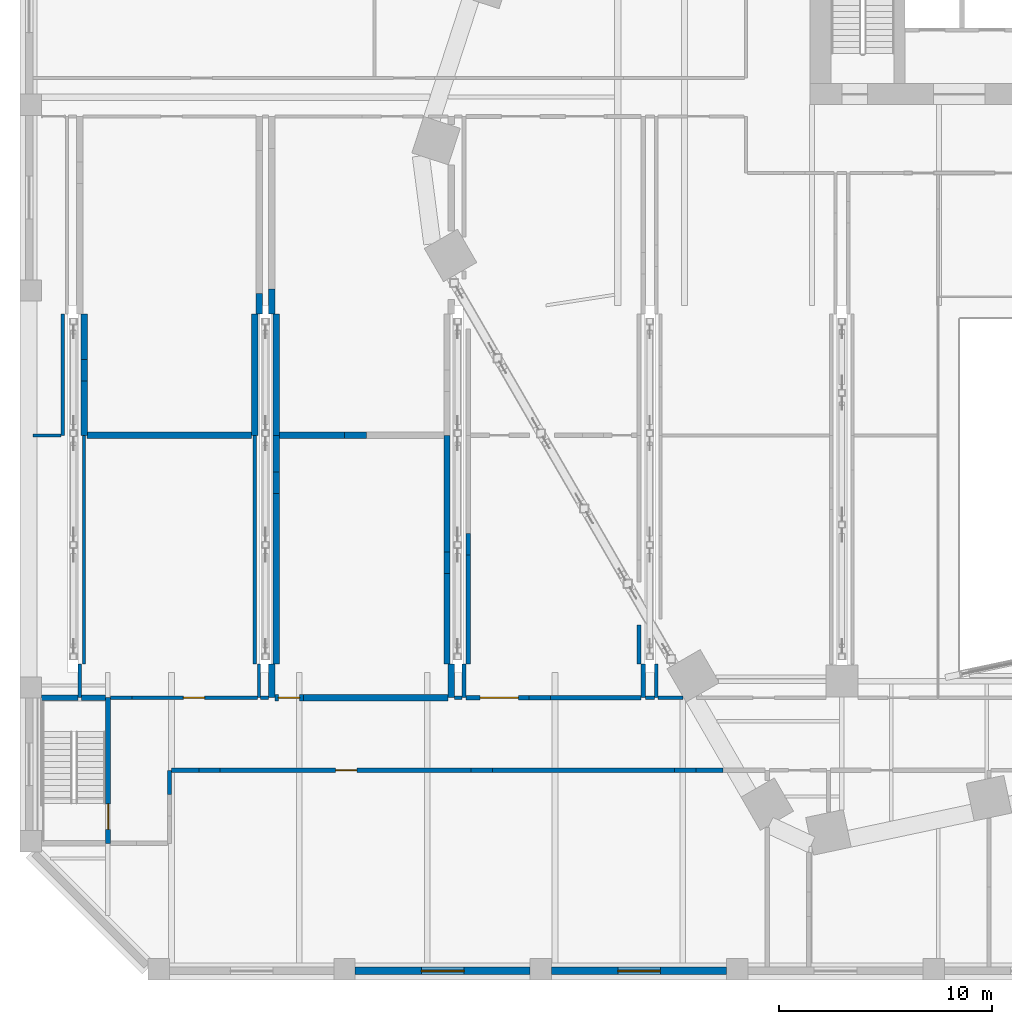
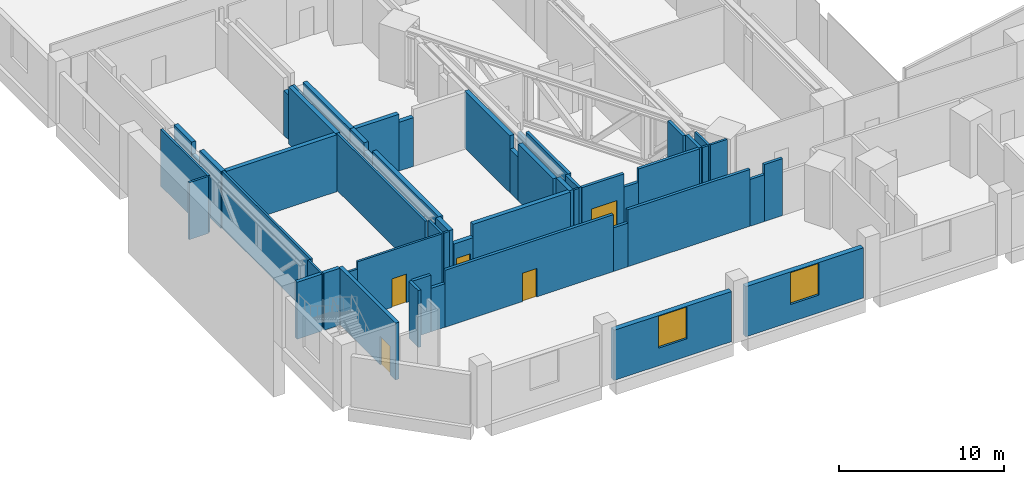
# One storey, part 13 of 32: 54 walls, 5 doors, 2 windows, 7 openings.
"""IFC4 building model written with IfcOpenShell, lengths in metres."""

from ifc_helpers import new_model, si_unit, direction, frame, frame_2d, origin, place, context, subcontext, project, spatial, rectangle, extrude, material, layer, layer_set, type_object, element, fill, save


model = new_model("IFC4")

# Units and contexts
model_context = context("Model", 3, precision=1e-05, world=origin(), true_north=direction((0.0, 1.0)))
body_context = subcontext(model_context, "Body", "Model", "MODEL_VIEW")
ifc_project = project(units=[si_unit("LENGTHUNIT", "METRE"), si_unit("AREAUNIT", "SQUARE_METRE"), si_unit("VOLUMEUNIT", "CUBIC_METRE"), si_unit("PLANEANGLEUNIT", "RADIAN"), si_unit("MASSUNIT", "GRAM", prefix="KILO")], contexts=[model_context])

# Site, building, storey
site_placement = place(None, origin())
site = spatial("IfcSite", under=ifc_project, at=site_placement, CompositionType="ELEMENT")
building_placement = place(site_placement, origin())
building = spatial("IfcBuilding", under=site, at=building_placement, Name="Isthmus Gate Tower", CompositionType="ELEMENT")
storey_placement = place(building_placement, frame((0.0, 0.0, 18.0)))
storey = spatial("IfcBuildingStorey", under=building, at=storey_placement, Name="L02", CompositionType="ELEMENT", Elevation=18.0)

# Wall, opening, door
ifc_material_1 = material(Name="Double-leaf gypsum board with mineral wool, resilient mounted")
ifc_layer_1 = layer(ifc_material_1, 0.300048828125)
ifc_layer_set_1 = layer_set([ifc_layer_1], Name="Acoustic studio wall 300 double leaf")
wall_type_1 = type_object("IfcWallType", Name="Acoustic studio wall 300 double leaf", PredefinedType="PARTITIONING", material=ifc_layer_set_1)
wall_1_placement = place(storey_placement, frame((-40.050048828125, -27.779052734375, 0.0), z_axis=(0.0, 0.0, 1.0), x_axis=(1.0, 0.0, 0.0)))
wall_1 = element("IfcWall", 1, at=wall_1_placement, inside=storey, type_object=wall_type_1, Name="Acoustic studio wall", PredefinedType="PARTITIONING", context=body_context, shape_type="SweptSolid", body=[
    extrude(rectangle(XDim=1.32080078125, YDim=0.300048828125, at=frame_2d((0.660400390625, 0.0))), origin(), (0.0, 0.0, 1.0), 3.218994140625),
])
opening_1_placement = place(wall_1_placement, frame((0.14990234375, 0.0, 0.0)))
opening_1 = element("IfcOpeningElement", 2, at=opening_1_placement, cuts=wall_1, Name="Opening DP02-20", PredefinedType="OPENING", context=body_context, shape_type="SweptSolid", body=[
    extrude(rectangle(XDim=1.0, YDim=2.10009765625, at=frame_2d((0.5, 1.050048828125))), frame((0.0, 0.159912109375, 0.0), z_axis=(0.0, -1.0, 0.0), x_axis=(1.0, 0.0, 0.0)), (0.0, 0.0, 1.0), 0.320068359375),
])
ifc_material_2 = material(Name="Hollow metal frame with solid-core timber leaf", Category="wood")
door_type_1 = type_object("IfcDoorType", Name="Single swing door 1000 x 2100", OperationType="SINGLE_SWING_LEFT", PredefinedType="DOOR", material=ifc_material_2)
door_1_placement = place(opening_1_placement, origin())
door_1 = element("IfcDoor", 3, at=door_1_placement, inside=storey, type_object=door_type_1, Name="Door DP02-20", OperationType="SINGLE_SWING_LEFT", OverallHeight=2.10009765625, OverallWidth=1.0, PredefinedType="DOOR", context=body_context, shape_type="SweptSolid", body=[
    extrude(rectangle(XDim=1.0, YDim=2.10009765625, at=frame_2d((0.5, 1.050048828125))), frame((0.0, 0.02490234375, 0.0), z_axis=(0.0, -1.0, 0.0), x_axis=(1.0, 0.0, 0.0)), (0.0, 0.0, 1.0), 0.050048828125),
])
fill(opening_1, door_1)

# Walls
wall_2_placement = place(storey_placement, frame((-38.729248046875, -27.779052734375, 0.0), z_axis=(0.0, 0.0, 1.0), x_axis=(1.0, 0.0, 0.0)))
element("IfcWall", 4, at=wall_2_placement, inside=storey, type_object=wall_type_1, Name="Acoustic studio wall", PredefinedType="PARTITIONING", context=body_context, shape_type="SweptSolid", body=[
    extrude(rectangle(XDim=6.779296875, YDim=0.300048828125, at=frame_2d((3.3896484375, 0.0))), origin(), (0.0, 0.0, 1.0), 4.199951171875),
])
wall_3_placement = place(storey_placement, frame((-48.85009765625, -15.489013671875, 0.0), z_axis=(0.0, 0.0, 1.0), x_axis=(1.0, 0.0, 0.0)))
element("IfcWall", 5, at=wall_3_placement, inside=storey, type_object=wall_type_1, Name="Acoustic studio wall", PredefinedType="PARTITIONING", context=body_context, shape_type="SweptSolid", body=[
    extrude(rectangle(XDim=7.7001953125, YDim=0.300048828125, at=frame_2d((3.85009765625, 0.0))), origin(), (0.0, 0.0, 1.0), 4.199951171875),
])
wall_4_placement = place(storey_placement, frame((-39.85009765625, -15.489013671875, 0.0), z_axis=(0.0, 0.0, 1.0), x_axis=(1.0, 0.0, 0.0)))
element("IfcWall", 6, at=wall_4_placement, inside=storey, type_object=wall_type_1, Name="Acoustic studio wall", PredefinedType="PARTITIONING", context=body_context, shape_type="SweptSolid", body=[
    extrude(rectangle(XDim=3.038818359375, YDim=0.300048828125, at=frame_2d((1.51953125, 0.0))), origin(), (0.0, 0.0, 1.0), 4.199951171875),
])
wall_5_placement = place(storey_placement, frame((-36.811279296875, -15.489013671875, 0.0), z_axis=(0.0, 0.0, 1.0), x_axis=(1.0, 0.0, 0.0)))
element("IfcWall", 7, at=wall_5_placement, inside=storey, type_object=wall_type_1, Name="Acoustic studio wall", PredefinedType="PARTITIONING", context=body_context, shape_type="SweptSolid", body=[
    extrude(rectangle(XDim=1.030517578125, YDim=0.300048828125, at=frame_2d((0.51513671875, 0.0))), origin(), (0.0, 0.0, 1.0), 3.5966796875),
])
wall_6_placement = place(storey_placement, frame((-49.0, -15.488525390625, 0.0), z_axis=(0.0, 0.0, 1.0), x_axis=(0.0, 1.0, 0.0)))
element("IfcWall", 8, at=wall_6_placement, inside=storey, type_object=wall_type_1, Name="Acoustic studio wall", PredefinedType="PARTITIONING", context=body_context, shape_type="SweptSolid", body=[
    extrude(rectangle(XDim=2.555908203125, YDim=0.300048828125, at=frame_2d((1.27783203125, 0.0))), origin(), (0.0, 0.0, 1.0), 4.199951171875),
])
wall_7_placement = place(storey_placement, frame((-49.0, -12.9326171875, 0.0), z_axis=(0.0, 0.0, 1.0), x_axis=(0.0, 1.0, 0.0)))
element("IfcWall", 9, at=wall_7_placement, inside=storey, type_object=wall_type_1, Name="Acoustic studio wall", PredefinedType="PARTITIONING", context=body_context, shape_type="SweptSolid", body=[
    extrude(rectangle(XDim=1.0, YDim=0.300048828125, at=frame_2d((0.5, 0.0))), origin(), (0.0, 0.0, 1.0), 3.29833984375),
])
wall_8_placement = place(storey_placement, frame((-49.0, -11.9326171875, 0.0), z_axis=(0.0, 0.0, 1.0), x_axis=(0.0, 1.0, 0.0)))
element("IfcWall", 10, at=wall_8_placement, inside=storey, type_object=wall_type_1, Name="Acoustic studio wall", PredefinedType="PARTITIONING", context=body_context, shape_type="SweptSolid", body=[
    extrude(rectangle(XDim=2.132568359375, YDim=0.300048828125, at=frame_2d((1.06640625, 0.0))), origin(), (0.0, 0.0, 1.0), 4.199951171875),
])
wall_9_placement = place(storey_placement, frame((-41.0, -15.488525390625, 0.0), z_axis=(0.0, 0.0, 1.0), x_axis=(0.0, 1.0, 0.0)))
element("IfcWall", 11, at=wall_9_placement, inside=storey, type_object=wall_type_1, Name="Acoustic studio wall", PredefinedType="PARTITIONING", context=body_context, shape_type="SweptSolid", body=[
    extrude(rectangle(XDim=5.6884765625, YDim=0.300048828125, at=frame_2d((2.84423828125, 0.0))), origin(), (0.0, 0.0, 1.0), 4.199951171875),
])
wall_10_placement = place(storey_placement, frame((-40.800048828125, -9.800048828125, 0.0), z_axis=(0.0, 0.0, 1.0), x_axis=(0.0, 1.0, 0.0)))
element("IfcWall", 12, at=wall_10_placement, inside=storey, type_object=wall_type_1, Name="Acoustic studio wall", PredefinedType="PARTITIONING", context=body_context, shape_type="SweptSolid", body=[
    extrude(rectangle(XDim=0.945068359375, YDim=0.300048828125, at=frame_2d((0.47265625, 0.0))), origin(), (0.0, 0.0, 1.0), 3.29833984375),
])
wall_11_placement = place(storey_placement, frame((-40.199951171875, -27.778076171875, 0.0), z_axis=(0.0, 0.0, 1.0), x_axis=(0.0, 1.0, 0.0)))
element("IfcWall", 13, at=wall_11_placement, inside=storey, type_object=wall_type_1, Name="Acoustic studio wall", PredefinedType="PARTITIONING", context=body_context, shape_type="SweptSolid", body=[
    extrude(rectangle(XDim=1.578125, YDim=0.300048828125, at=frame_2d((0.7890625, 0.0))), origin(), (0.0, 0.0, 1.0), 4.199951171875),
])
wall_12_placement = place(storey_placement, frame((-40.199951171875, -9.800048828125, 0.0), z_axis=(0.0, 0.0, 1.0), x_axis=(0.0, 1.0, 0.0)))
element("IfcWall", 14, at=wall_12_placement, inside=storey, type_object=wall_type_1, Name="Acoustic studio wall", PredefinedType="PARTITIONING", context=body_context, shape_type="SweptSolid", body=[
    extrude(rectangle(XDim=1.170166015625, YDim=0.300048828125, at=frame_2d((0.5849609375, 0.0))), origin(), (0.0, 0.0, 1.0), 3.29833984375),
])
wall_13_placement = place(storey_placement, frame((-40.0, -26.199951171875, 0.0), z_axis=(0.0, 0.0, 1.0), x_axis=(0.0, 1.0, 0.0)))
element("IfcWall", 15, at=wall_13_placement, inside=storey, type_object=wall_type_1, Name="Acoustic studio wall", PredefinedType="PARTITIONING", context=body_context, shape_type="SweptSolid", body=[
    extrude(rectangle(XDim=7.998046875, YDim=0.300048828125, at=frame_2d((3.9990234375, 0.0))), origin(), (0.0, 0.0, 1.0), 4.199951171875),
])
wall_14_placement = place(storey_placement, frame((-40.0, -18.201904296875, 0.0), z_axis=(0.0, 0.0, 1.0), x_axis=(0.0, 1.0, 0.0)))
element("IfcWall", 16, at=wall_14_placement, inside=storey, type_object=wall_type_1, Name="Acoustic studio wall", PredefinedType="PARTITIONING", context=body_context, shape_type="SweptSolid", body=[
    extrude(rectangle(XDim=1.0, YDim=0.300048828125, at=frame_2d((0.5, 0.0))), origin(), (0.0, 0.0, 1.0), 3.5966796875),
])
wall_15_placement = place(storey_placement, frame((-40.0, -17.201904296875, 0.0), z_axis=(0.0, 0.0, 1.0), x_axis=(0.0, 1.0, 0.0)))
element("IfcWall", 17, at=wall_15_placement, inside=storey, type_object=wall_type_1, Name="Acoustic studio wall", PredefinedType="PARTITIONING", context=body_context, shape_type="SweptSolid", body=[
    extrude(rectangle(XDim=1.71142578125, YDim=0.300048828125, at=frame_2d((0.855712890625, 0.0))), origin(), (0.0, 0.0, 1.0), 4.199951171875),
])
wall_16_placement = place(storey_placement, frame((-40.0, -15.488525390625, 0.0), z_axis=(0.0, 0.0, 1.0), x_axis=(0.0, 1.0, 0.0)))
element("IfcWall", 18, at=wall_16_placement, inside=storey, type_object=wall_type_1, Name="Acoustic studio wall", PredefinedType="PARTITIONING", context=body_context, shape_type="SweptSolid", body=[
    extrude(rectangle(XDim=5.6884765625, YDim=0.300048828125, at=frame_2d((2.84423828125, 0.0))), origin(), (0.0, 0.0, 1.0), 4.199951171875),
])
wall_17_placement = place(storey_placement, frame((-32.0, -26.199951171875, 0.0), z_axis=(0.0, 0.0, 1.0), x_axis=(0.0, 1.0, 0.0)))
element("IfcWall", 19, at=wall_17_placement, inside=storey, type_object=wall_type_1, Name="Acoustic studio wall", PredefinedType="PARTITIONING", context=body_context, shape_type="SweptSolid", body=[
    extrude(rectangle(XDim=4.237060546875, YDim=0.300048828125, at=frame_2d((2.11865234375, 0.0))), origin(), (0.0, 0.0, 1.0), 4.199951171875),
])
wall_18_placement = place(storey_placement, frame((-32.0, -21.962890625, 0.0), z_axis=(0.0, 0.0, 1.0), x_axis=(0.0, 1.0, 0.0)))
element("IfcWall", 20, at=wall_18_placement, inside=storey, type_object=wall_type_1, Name="Acoustic studio wall", PredefinedType="PARTITIONING", context=body_context, shape_type="SweptSolid", body=[
    extrude(rectangle(XDim=1.0, YDim=0.300048828125, at=frame_2d((0.5, 0.0))), origin(), (0.0, 0.0, 1.0), 3.218994140625),
])
wall_19_placement = place(storey_placement, frame((-32.0, -20.962890625, 0.0), z_axis=(0.0, 0.0, 1.0), x_axis=(0.0, 1.0, 0.0)))
element("IfcWall", 21, at=wall_19_placement, inside=storey, type_object=wall_type_1, Name="Acoustic studio wall", PredefinedType="PARTITIONING", context=body_context, shape_type="SweptSolid", body=[
    extrude(rectangle(XDim=5.472412109375, YDim=0.300048828125, at=frame_2d((2.736328125, 0.0))), origin(), (0.0, 0.0, 1.0), 4.199951171875),
])
wall_20_placement = place(storey_placement, frame((-31.800048828125, -27.778076171875, 0.0), z_axis=(0.0, 0.0, 1.0), x_axis=(0.0, 1.0, 0.0)))
element("IfcWall", 22, at=wall_20_placement, inside=storey, type_object=wall_type_1, Name="Acoustic studio wall", PredefinedType="PARTITIONING", context=body_context, shape_type="SweptSolid", body=[
    extrude(rectangle(XDim=1.578125, YDim=0.300048828125, at=frame_2d((0.7890625, 0.0))), origin(), (0.0, 0.0, 1.0), 4.199951171875),
])
ifc_material_3 = material(Name="Concrete f'c 30 MPa", Category="concrete")
ifc_layer_2 = layer(ifc_material_3, 0.199951171875)
ifc_layer_set_2 = layer_set([ifc_layer_2], Name="Fire-rated block wall 200")
wall_type_2 = type_object("IfcWallType", Name="Fire-rated block wall 200", PredefinedType="PARTITIONING", material=ifc_layer_set_2)
wall_21_placement = place(storey_placement, frame((-44.89990234375, -31.178955078125, 0.0), z_axis=(0.0, 0.0, 1.0), x_axis=(1.0, 0.0, 0.0)))
element("IfcWall", 23, at=wall_21_placement, inside=storey, type_object=wall_type_2, Name="Fire-rated wall", PredefinedType="PARTITIONING", context=body_context, shape_type="SweptSolid", body=[
    extrude(rectangle(XDim=1.279052734375, YDim=0.199951171875, at=frame_2d((0.6396484375, 0.0))), origin(), (0.0, 0.0, 1.0), 4.199951171875),
])
wall_22_placement = place(storey_placement, frame((-43.620849609375, -31.178955078125, 0.0), z_axis=(0.0, 0.0, 1.0), x_axis=(1.0, 0.0, 0.0)))
element("IfcWall", 24, at=wall_22_placement, inside=storey, type_object=wall_type_2, Name="Fire-rated wall", PredefinedType="PARTITIONING", context=body_context, shape_type="SweptSolid", body=[
    extrude(rectangle(XDim=1.0, YDim=0.199951171875, at=frame_2d((0.5, 0.0))), origin(), (0.0, 0.0, 1.0), 3.218994140625),
])

# Wall, opening, door
wall_23_placement = place(storey_placement, frame((-42.620849609375, -31.178955078125, 0.0), z_axis=(0.0, 0.0, 1.0), x_axis=(1.0, 0.0, 0.0)))
wall_23 = element("IfcWall", 25, at=wall_23_placement, inside=storey, type_object=wall_type_2, Name="Fire-rated wall", PredefinedType="PARTITIONING", context=body_context, shape_type="SweptSolid", body=[
    extrude(rectangle(XDim=11.750244140625, YDim=0.199951171875, at=frame_2d((5.875, 0.0))), origin(), (0.0, 0.0, 1.0), 4.199951171875),
])
opening_2_placement = place(wall_23_placement, frame((5.39990234375, 0.0, 0.0)))
opening_2 = element("IfcOpeningElement", 26, at=opening_2_placement, cuts=wall_23, Name="Opening DP02-51", PredefinedType="OPENING", context=body_context, shape_type="SweptSolid", body=[
    extrude(rectangle(XDim=1.0, YDim=2.10009765625, at=frame_2d((0.5, 1.050048828125))), frame((0.0, 0.10986328125, 0.0), z_axis=(0.0, -1.0, 0.0), x_axis=(1.0, 0.0, 0.0)), (0.0, 0.0, 1.0), 0.219970703125),
])
ifc_material_4 = material(Name="Steel fire door with intumescent seals", Category="steel")
door_type_2 = type_object("IfcDoorType", Name="Fire door 1000 x 2100", OperationType="SINGLE_SWING_LEFT", PredefinedType="DOOR", material=ifc_material_4)
door_2_placement = place(opening_2_placement, origin())
door_2 = element("IfcDoor", 27, at=door_2_placement, inside=storey, type_object=door_type_2, Name="Door DP02-51", OperationType="SINGLE_SWING_LEFT", OverallHeight=2.10009765625, OverallWidth=1.0, PredefinedType="DOOR", context=body_context, shape_type="SweptSolid", body=[
    extrude(rectangle(XDim=1.0, YDim=2.10009765625, at=frame_2d((0.5, 1.050048828125))), frame((0.0, 0.02490234375, 0.0), z_axis=(0.0, -1.0, 0.0), x_axis=(1.0, 0.0, 0.0)), (0.0, 0.0, 1.0), 0.050048828125),
])
fill(opening_2, door_2)

# Walls
wall_24_placement = place(storey_placement, frame((-30.87060546875, -31.178955078125, 0.0), z_axis=(0.0, 0.0, 1.0), x_axis=(1.0, 0.0, 0.0)))
element("IfcWall", 28, at=wall_24_placement, inside=storey, type_object=wall_type_2, Name="Fire-rated wall", PredefinedType="PARTITIONING", context=body_context, shape_type="SweptSolid", body=[
    extrude(rectangle(XDim=1.0, YDim=0.199951171875, at=frame_2d((0.5, 0.0))), origin(), (0.0, 0.0, 1.0), 3.218994140625),
])
wall_25_placement = place(storey_placement, frame((-29.87060546875, -31.178955078125, 0.0), z_axis=(0.0, 0.0, 1.0), x_axis=(1.0, 0.0, 0.0)))
element("IfcWall", 29, at=wall_25_placement, inside=storey, type_object=wall_type_2, Name="Fire-rated wall", PredefinedType="PARTITIONING", context=body_context, shape_type="SweptSolid", body=[
    extrude(rectangle(XDim=8.526611328125, YDim=0.199951171875, at=frame_2d((4.26318359375, 0.0))), origin(), (0.0, 0.0, 1.0), 4.199951171875),
])
wall_26_placement = place(storey_placement, frame((-21.343994140625, -31.178955078125, 0.0), z_axis=(0.0, 0.0, 1.0), x_axis=(1.0, 0.0, 0.0)))
element("IfcWall", 30, at=wall_26_placement, inside=storey, type_object=wall_type_2, Name="Fire-rated wall", PredefinedType="PARTITIONING", context=body_context, shape_type="SweptSolid", body=[
    extrude(rectangle(XDim=1.0, YDim=0.199951171875, at=frame_2d((0.5, 0.0))), origin(), (0.0, 0.0, 1.0), 3.45068359375),
])
wall_27_placement = place(storey_placement, frame((-20.343994140625, -31.178955078125, 0.0), z_axis=(0.0, 0.0, 1.0), x_axis=(1.0, 0.0, 0.0)))
element("IfcWall", 31, at=wall_27_placement, inside=storey, type_object=wall_type_2, Name="Fire-rated wall", PredefinedType="PARTITIONING", context=body_context, shape_type="SweptSolid", body=[
    extrude(rectangle(XDim=1.279296875, YDim=0.199951171875, at=frame_2d((0.6396484375, 0.0))), origin(), (0.0, 0.0, 1.0), 4.199951171875),
])

# Wall, opening, door
wall_28_placement = place(storey_placement, frame((-31.10009765625, -27.779052734375, 0.0), z_axis=(0.0, 0.0, 1.0), x_axis=(1.0, 0.0, 0.0)))
wall_28 = element("IfcWall", 32, at=wall_28_placement, inside=storey, type_object=wall_type_2, Name="Fire-rated wall", PredefinedType="PARTITIONING", context=body_context, shape_type="SweptSolid", body=[
    extrude(rectangle(XDim=2.94091796875, YDim=0.199951171875, at=frame_2d((1.470458984375, 0.0))), origin(), (0.0, 0.0, 1.0), 4.199951171875),
])
opening_3_placement = place(wall_28_placement, frame((0.64990234375, 0.0, 0.0)))
opening_3 = element("IfcOpeningElement", 33, at=opening_3_placement, cuts=wall_28, Name="Opening DP02-21", PredefinedType="OPENING", context=body_context, shape_type="SweptSolid", body=[
    extrude(rectangle(XDim=1.800048828125, YDim=2.39990234375, at=frame_2d((0.89990234375, 1.199951171875))), frame((0.0, 0.10986328125, 0.0), z_axis=(0.0, -1.0, 0.0), x_axis=(1.0, 0.0, 0.0)), (0.0, 0.0, 1.0), 0.219970703125),
])
ifc_material_5 = material(Name="Steel fire doors with intumescent seals", Category="steel")
door_type_3 = type_object("IfcDoorType", Name="Double fire door 1800 x 2400", OperationType="DOUBLE_DOOR_SINGLE_SWING", PredefinedType="DOOR", material=ifc_material_5)
door_3_placement = place(opening_3_placement, origin())
door_3 = element("IfcDoor", 34, at=door_3_placement, inside=storey, type_object=door_type_3, Name="Door DP02-21", OperationType="SINGLE_SWING_LEFT", OverallHeight=2.39990234375, OverallWidth=1.800048828125, PredefinedType="DOOR", context=body_context, shape_type="SweptSolid", body=[
    extrude(rectangle(XDim=1.800048828125, YDim=2.39990234375, at=frame_2d((0.89990234375, 1.199951171875))), frame((0.0, 0.02490234375, 0.0), z_axis=(0.0, -1.0, 0.0), x_axis=(1.0, 0.0, 0.0)), (0.0, 0.0, 1.0), 0.050048828125),
])
fill(opening_3, door_3)

# Walls
wall_29_placement = place(storey_placement, frame((-28.1591796875, -27.779052734375, 0.0), z_axis=(0.0, 0.0, 1.0), x_axis=(1.0, 0.0, 0.0)))
element("IfcWall", 35, at=wall_29_placement, inside=storey, type_object=wall_type_2, Name="Fire-rated wall", PredefinedType="PARTITIONING", context=body_context, shape_type="SweptSolid", body=[
    extrude(rectangle(XDim=1.0, YDim=0.199951171875, at=frame_2d((0.5, 0.0))), origin(), (0.0, 0.0, 1.0), 3.218994140625),
])
wall_30_placement = place(storey_placement, frame((-27.1591796875, -27.779052734375, 0.0), z_axis=(0.0, 0.0, 1.0), x_axis=(1.0, 0.0, 0.0)))
element("IfcWall", 36, at=wall_30_placement, inside=storey, type_object=wall_type_2, Name="Fire-rated wall", PredefinedType="PARTITIONING", context=body_context, shape_type="SweptSolid", body=[
    extrude(rectangle(XDim=4.25927734375, YDim=0.199951171875, at=frame_2d((2.129638671875, 0.0))), origin(), (0.0, 0.0, 1.0), 4.199951171875),
])
wall_31_placement = place(storey_placement, frame((-45.0, -32.32080078125, 0.0), z_axis=(0.0, 0.0, 1.0), x_axis=(0.0, 1.0, 0.0)))
element("IfcWall", 37, at=wall_31_placement, inside=storey, type_object=wall_type_2, Name="Fire-rated wall", PredefinedType="PARTITIONING", context=body_context, shape_type="SweptSolid", body=[
    extrude(rectangle(XDim=1.141845703125, YDim=0.199951171875, at=frame_2d((0.57080078125, 0.0))), origin(), (0.0, 0.0, 1.0), 4.199951171875),
])
wall_32_placement = place(storey_placement, frame((-31.199951171875, -27.778076171875, 0.0), z_axis=(0.0, 0.0, 1.0), x_axis=(0.0, 1.0, 0.0)))
element("IfcWall", 38, at=wall_32_placement, inside=storey, type_object=wall_type_2, Name="Fire-rated wall", PredefinedType="PARTITIONING", context=body_context, shape_type="SweptSolid", body=[
    extrude(rectangle(XDim=1.578125, YDim=0.199951171875, at=frame_2d((0.7890625, 0.0))), origin(), (0.0, 0.0, 1.0), 4.199951171875),
])
wall_33_placement = place(storey_placement, frame((-31.0, -26.199951171875, 0.0), z_axis=(0.0, 0.0, 1.0), x_axis=(0.0, 1.0, 0.0)))
element("IfcWall", 39, at=wall_33_placement, inside=storey, type_object=wall_type_2, Name="Fire-rated wall", PredefinedType="PARTITIONING", context=body_context, shape_type="SweptSolid", body=[
    extrude(rectangle(XDim=5.110595703125, YDim=0.199951171875, at=frame_2d((2.55517578125, 0.0))), origin(), (0.0, 0.0, 1.0), 4.199951171875),
])
wall_34_placement = place(storey_placement, frame((-31.0, -21.08935546875, 0.0), z_axis=(0.0, 0.0, 1.0), x_axis=(0.0, 1.0, 0.0)))
element("IfcWall", 40, at=wall_34_placement, inside=storey, type_object=wall_type_2, Name="Fire-rated wall", PredefinedType="PARTITIONING", context=body_context, shape_type="SweptSolid", body=[
    extrude(rectangle(XDim=1.0, YDim=0.199951171875, at=frame_2d((0.5, 0.0))), origin(), (0.0, 0.0, 1.0), 3.5966796875),
])
wall_35_placement = place(storey_placement, frame((-23.0, -26.199951171875, 0.0), z_axis=(0.0, 0.0, 1.0), x_axis=(0.0, 1.0, 0.0)))
element("IfcWall", 41, at=wall_35_placement, inside=storey, type_object=wall_type_2, Name="Fire-rated wall", PredefinedType="PARTITIONING", context=body_context, shape_type="SweptSolid", body=[
    extrude(rectangle(XDim=1.837158203125, YDim=0.199951171875, at=frame_2d((0.91845703125, 0.0))), origin(), (0.0, 0.0, 1.0), 4.199951171875),
])
wall_36_placement = place(storey_placement, frame((-22.800048828125, -27.778076171875, 0.0), z_axis=(0.0, 0.0, 1.0), x_axis=(0.0, 1.0, 0.0)))
element("IfcWall", 42, at=wall_36_placement, inside=storey, type_object=wall_type_2, Name="Fire-rated wall", PredefinedType="PARTITIONING", context=body_context, shape_type="SweptSolid", body=[
    extrude(rectangle(XDim=1.578125, YDim=0.199951171875, at=frame_2d((0.7890625, 0.0))), origin(), (0.0, 0.0, 1.0), 4.199951171875),
])

# Wall, opening, window
ifc_material_6 = material(Name="Precast concrete C40/50, limestone-faced", Category="masonry")
ifc_layer_3 = layer(ifc_material_6, 0.35009765625)
ifc_layer_set_3 = layer_set([ifc_layer_3], Name="PODIUM CLADDING WALL 350")
wall_type_3 = type_object("IfcWallType", Name="PODIUM CLADDING WALL 350", PredefinedType="SOLIDWALL", material=ifc_layer_set_3)
wall_37_placement = place(storey_placement, frame((-36.300048828125, -40.574951171875, -0.39990234375), z_axis=(0.0, 0.0, 1.0), x_axis=(1.0, 0.0, 0.0)))
wall_37 = element("IfcWall", 43, at=wall_37_placement, inside=storey, type_object=wall_type_3, Name="PODIUM WALL", PredefinedType="SOLIDWALL", context=body_context, shape_type="SweptSolid", body=[
    extrude(rectangle(XDim=8.199951171875, YDim=0.35009765625, at=frame_2d((4.10009765625, 0.0))), origin(), (0.0, 0.0, 1.0), 3.699951171875),
])
opening_4_placement = place(wall_37_placement, frame((3.10009765625, 0.0, 1.300048828125)))
opening_4 = element("IfcOpeningElement", 44, at=opening_4_placement, cuts=wall_37, Name="Opening W002", PredefinedType="OPENING", context=body_context, shape_type="SweptSolid", body=[
    extrude(rectangle(XDim=2.0, YDim=2.35009765625, at=frame_2d((1.0, 1.175048828125))), frame((0.0, 0.18505859375, 0.0), z_axis=(0.0, -1.0, 0.0), x_axis=(1.0, 0.0, 0.0)), (0.0, 0.0, 1.0), 0.3701171875),
])
ifc_material_7 = material(Name="Aluminium, pale champagne anodised, laminated glass", Category="aluminium")
window_type = type_object("IfcWindowType", Name="PODIUM SLOT WINDOW 2000 X 2350", PartitioningType="SINGLE_PANEL", PredefinedType="WINDOW", material=ifc_material_7)
window_1_placement = place(opening_4_placement, origin())
window_1 = element("IfcWindow", 45, at=window_1_placement, inside=storey, type_object=window_type, Name="SLOT WINDOW", OverallHeight=2.35009765625, OverallWidth=2.0, PartitioningType="SINGLE_PANEL", PredefinedType="WINDOW", context=body_context, shape_type="SweptSolid", body=[
    extrude(rectangle(XDim=2.0, YDim=2.35009765625, at=frame_2d((1.0, 1.175048828125))), frame((0.0, 0.030029296875, 0.0), z_axis=(0.0, -1.0, 0.0), x_axis=(1.0, 0.0, 0.0)), (0.0, 0.0, 1.0), 0.06005859375),
])
fill(opening_4, window_1)

wall_38_placement = place(storey_placement, frame((-27.10009765625, -40.574951171875, -0.39990234375), z_axis=(0.0, 0.0, 1.0), x_axis=(1.0, 0.0, 0.0)))
wall_38 = element("IfcWall", 46, at=wall_38_placement, inside=storey, type_object=wall_type_3, Name="PODIUM WALL", PredefinedType="SOLIDWALL", context=body_context, shape_type="SweptSolid", body=[
    extrude(rectangle(XDim=8.2001953125, YDim=0.35009765625, at=frame_2d((4.10009765625, 0.0))), origin(), (0.0, 0.0, 1.0), 3.699951171875),
])
opening_5_placement = place(wall_38_placement, frame((3.10009765625, 0.0, 1.300048828125)))
opening_5 = element("IfcOpeningElement", 47, at=opening_5_placement, cuts=wall_38, Name="Opening W003", PredefinedType="OPENING", context=body_context, shape_type="SweptSolid", body=[
    extrude(rectangle(XDim=2.0, YDim=2.35009765625, at=frame_2d((1.0, 1.175048828125))), frame((0.0, 0.18505859375, 0.0), z_axis=(0.0, -1.0, 0.0), x_axis=(1.0, 0.0, 0.0)), (0.0, 0.0, 1.0), 0.3701171875),
])
window_2_placement = place(opening_5_placement, origin())
window_2 = element("IfcWindow", 48, at=window_2_placement, inside=storey, type_object=window_type, Name="SLOT WINDOW", OverallHeight=2.35009765625, OverallWidth=2.0, PartitioningType="SINGLE_PANEL", PredefinedType="WINDOW", context=body_context, shape_type="SweptSolid", body=[
    extrude(rectangle(XDim=2.0, YDim=2.35009765625, at=frame_2d((1.0, 1.175048828125))), frame((0.0, 0.030029296875, 0.0), z_axis=(0.0, -1.0, 0.0), x_axis=(1.0, 0.0, 0.0)), (0.0, 0.0, 1.0), 0.06005859375),
])
fill(opening_5, window_2)

# Wall
ifc_material_8 = material(Name="Gypsum board on cold-formed steel studs", Category="steel")
ifc_layer_4 = layer(ifc_material_8, 0.14990234375)
ifc_layer_set_4 = layer_set([ifc_layer_4])
wall_type_4 = type_object("IfcWallType", Name="Partition 150 gypsum board on steel studs", PredefinedType="PARTITIONING", material=ifc_layer_set_4)
wall_39_placement = place(storey_placement, frame((-47.75, -27.779052734375, 0.0), z_axis=(0.0, 0.0, 1.0), x_axis=(1.0, 0.0, 0.0)))
element("IfcWall", 49, at=wall_39_placement, inside=storey, type_object=wall_type_4, Name="Partition", PredefinedType="PARTITIONING", context=body_context, shape_type="SweptSolid", body=[
    extrude(rectangle(XDim=1.0, YDim=0.14990234375, at=frame_2d((0.5, 0.0))), origin(), (0.0, 0.0, 1.0), 3.66650390625),
])

# Wall, opening, door
wall_40_placement = place(storey_placement, frame((-46.75, -27.779052734375, 0.0), z_axis=(0.0, 0.0, 1.0), x_axis=(1.0, 0.0, 0.0)))
wall_40 = element("IfcWall", 50, at=wall_40_placement, inside=storey, type_object=wall_type_4, Name="Partition", PredefinedType="PARTITIONING", context=body_context, shape_type="SweptSolid", body=[
    extrude(rectangle(XDim=5.875, YDim=0.14990234375, at=frame_2d((2.9375, 0.0))), origin(), (0.0, 0.0, 1.0), 4.199951171875),
])
opening_6_placement = place(wall_40_placement, frame((2.39990234375, 0.0, 0.0)))
opening_6 = element("IfcOpeningElement", 51, at=opening_6_placement, cuts=wall_40, Name="Opening DP02-19", PredefinedType="OPENING", context=body_context, shape_type="SweptSolid", body=[
    extrude(rectangle(XDim=1.0, YDim=2.10009765625, at=frame_2d((0.5, 1.050048828125))), frame((0.0, 0.0849609375, 0.0), z_axis=(0.0, -1.0, 0.0), x_axis=(1.0, 0.0, 0.0)), (0.0, 0.0, 1.0), 0.169921875),
])
door_4_placement = place(opening_6_placement, origin())
door_4 = element("IfcDoor", 52, at=door_4_placement, inside=storey, type_object=door_type_1, Name="Door DP02-19", OperationType="SINGLE_SWING_LEFT", OverallHeight=2.10009765625, OverallWidth=1.0, PredefinedType="DOOR", context=body_context, shape_type="SweptSolid", body=[
    extrude(rectangle(XDim=1.0, YDim=2.10009765625, at=frame_2d((0.5, 1.050048828125))), frame((0.0, 0.02490234375, 0.0), z_axis=(0.0, -1.0, 0.0), x_axis=(1.0, 0.0, 0.0)), (0.0, 0.0, 1.0), 0.050048828125),
])
fill(opening_6, door_4)

# Walls
wall_41_placement = place(storey_placement, frame((-40.72509765625, -27.779052734375, 0.0), z_axis=(0.0, 0.0, 1.0), x_axis=(1.0, 0.0, 0.0)))
element("IfcWall", 53, at=wall_41_placement, inside=storey, type_object=wall_type_4, Name="Partition", PredefinedType="PARTITIONING", context=body_context, shape_type="SweptSolid", body=[
    extrude(rectangle(XDim=0.375, YDim=0.14990234375, at=frame_2d((0.1875, 0.0))), origin(), (0.0, 0.0, 1.0), 4.199951171875),
])
wall_42_placement = place(storey_placement, frame((-31.64990234375, -27.779052734375, 0.0), z_axis=(0.0, 0.0, 1.0), x_axis=(1.0, 0.0, 0.0)))
element("IfcWall", 54, at=wall_42_placement, inside=storey, type_object=wall_type_4, Name="Partition", PredefinedType="PARTITIONING", context=body_context, shape_type="SweptSolid", body=[
    extrude(rectangle(XDim=0.349853515625, YDim=0.14990234375, at=frame_2d((0.1748046875, 0.0))), origin(), (0.0, 0.0, 1.0), 4.199951171875),
])
wall_43_placement = place(storey_placement, frame((-22.699951171875, -27.779052734375, 0.0), z_axis=(0.0, 0.0, 1.0), x_axis=(1.0, 0.0, 0.0)))
element("IfcWall", 55, at=wall_43_placement, inside=storey, type_object=wall_type_4, Name="Partition", PredefinedType="PARTITIONING", context=body_context, shape_type="SweptSolid", body=[
    extrude(rectangle(XDim=0.425048828125, YDim=0.14990234375, at=frame_2d((0.21240234375, 0.0))), origin(), (0.0, 0.0, 1.0), 4.199951171875),
])
wall_44_placement = place(storey_placement, frame((-22.125, -27.779052734375, 0.0), z_axis=(0.0, 0.0, 1.0), x_axis=(1.0, 0.0, 0.0)))
element("IfcWall", 56, at=wall_44_placement, inside=storey, type_object=wall_type_4, Name="Partition", PredefinedType="PARTITIONING", context=body_context, shape_type="SweptSolid", body=[
    extrude(rectangle(XDim=1.16943359375, YDim=0.14990234375, at=frame_2d((0.584716796875, 0.0))), origin(), (0.0, 0.0, 1.0), 4.199951171875),
])
wall_45_placement = place(storey_placement, frame((-51.39990234375, -15.489013671875, 0.0), z_axis=(0.0, 0.0, 1.0), x_axis=(1.0, 0.0, 0.0)))
element("IfcWall", 57, at=wall_45_placement, inside=storey, type_object=wall_type_4, Name="Partition", PredefinedType="PARTITIONING", context=body_context, shape_type="SweptSolid", body=[
    extrude(rectangle(XDim=1.324951171875, YDim=0.14990234375, at=frame_2d((0.66259765625, 0.0))), origin(), (0.0, 0.0, 1.0), 4.199951171875),
])
wall_46_placement = place(storey_placement, frame((-50.0, -15.489501953125, 0.0), z_axis=(0.0, 0.0, 1.0), x_axis=(0.0, 1.0, 0.0)))
element("IfcWall", 58, at=wall_46_placement, inside=storey, type_object=wall_type_4, Name="Partition", PredefinedType="PARTITIONING", context=body_context, shape_type="SweptSolid", body=[
    extrude(rectangle(XDim=5.689453125, YDim=0.14990234375, at=frame_2d((2.8447265625, 0.0))), origin(), (0.0, 0.0, 1.0), 4.199951171875),
])
wall_47_placement = place(storey_placement, frame((-49.199951171875, -27.778076171875, 0.0), z_axis=(0.0, 0.0, 1.0), x_axis=(0.0, 1.0, 0.0)))
element("IfcWall", 59, at=wall_47_placement, inside=storey, type_object=wall_type_4, Name="Partition", PredefinedType="PARTITIONING", context=body_context, shape_type="SweptSolid", body=[
    extrude(rectangle(XDim=1.578125, YDim=0.14990234375, at=frame_2d((0.7890625, 0.0))), origin(), (0.0, 0.0, 1.0), 4.199951171875),
])
for number, where, z_axis, x_axis, name in (
    (60, (-49.0, -26.199951171875, 0.0), (0.0, 0.0, 1.0), (0.0, 1.0, 0.0), "Partition"),
    (61, (-41.0, -26.199951171875, 0.0), (0.0, 0.0, 1.0), (0.0, 1.0, 0.0), "Partition"),
):
    element("IfcWall", number, at=place(storey_placement, frame(where, z_axis=z_axis, x_axis=x_axis)), inside=storey, type_object=wall_type_4, Name=name, PredefinedType="PARTITIONING", context=body_context, shape_type="SweptSolid", body=[
        extrude(rectangle(XDim=10.70947265625, YDim=0.14990234375, at=frame_2d((5.354736328125, 0.0))), origin(), (0.0, 0.0, 1.0), 4.199951171875),
    ])
for number, where, z_axis, x_axis, name in (
    (62, (-40.800048828125, -27.778076171875, 0.0), (0.0, 0.0, 1.0), (0.0, 1.0, 0.0), "Partition"),
    (63, (-22.199951171875, -27.778076171875, 0.0), (0.0, 0.0, 1.0), (0.0, 1.0, 0.0), "Partition"),
):
    element("IfcWall", number, at=place(storey_placement, frame(where, z_axis=z_axis, x_axis=x_axis)), inside=storey, type_object=wall_type_4, Name=name, PredefinedType="PARTITIONING", context=body_context, shape_type="SweptSolid", body=[
        extrude(rectangle(XDim=1.578125, YDim=0.14990234375, at=frame_2d((0.7890625, 0.0))), origin(), (0.0, 0.0, 1.0), 4.199951171875),
    ])
ifc_material_9 = material(Name="Concrete f'c 40 MPa", Category="concrete")
ifc_layer_5 = layer(ifc_material_9, 0.25)
ifc_layer_set_5 = layer_set([ifc_layer_5])
wall_type_5 = type_object("IfcWallType", Name="Stair shaft wall 250 reinforced concrete", PredefinedType="SHEAR", material=ifc_layer_set_5)
wall_48_placement = place(storey_placement, frame((-51.0, -27.779052734375, 0.0), z_axis=(0.0, 0.0, 1.0), x_axis=(1.0, 0.0, 0.0)))
element("IfcWall", 64, at=wall_48_placement, inside=storey, type_object=wall_type_5, Name="Stair shaft wall", PredefinedType="SHEAR", context=body_context, shape_type="SweptSolid", body=[
    extrude(rectangle(XDim=1.72509765625, YDim=0.25, at=frame_2d((0.862548828125, 0.0))), origin(), (0.0, 0.0, 1.0), 4.199951171875),
])
wall_49_placement = place(storey_placement, frame((-49.125, -27.779052734375, 0.0), z_axis=(0.0, 0.0, 1.0), x_axis=(1.0, 0.0, 0.0)))
element("IfcWall", 65, at=wall_49_placement, inside=storey, type_object=wall_type_5, Name="Stair shaft wall", PredefinedType="SHEAR", context=body_context, shape_type="SweptSolid", body=[
    extrude(rectangle(XDim=1.125, YDim=0.25, at=frame_2d((0.5625, 0.0))), origin(), (0.0, 0.0, 1.0), 4.199951171875),
])

# Wall, opening, door
wall_50_placement = place(storey_placement, frame((-47.875, -34.60009765625, 0.0), z_axis=(0.0, 0.0, 1.0), x_axis=(0.0, 1.0, 0.0)))
wall_50 = element("IfcWall", 66, at=wall_50_placement, inside=storey, type_object=wall_type_5, Name="Stair shaft wall", PredefinedType="SHEAR", context=body_context, shape_type="SweptSolid", body=[
    extrude(rectangle(XDim=6.821044921875, YDim=0.25, at=frame_2d((3.41064453125, 0.0))), origin(), (0.0, 0.0, 1.0), 4.199951171875),
])
opening_7_placement = place(wall_50_placement, frame((0.64990234375, 0.0, 0.0)))
opening_7 = element("IfcOpeningElement", 67, at=opening_7_placement, cuts=wall_50, Name="Opening DP02-07", PredefinedType="OPENING", context=body_context, shape_type="SweptSolid", body=[
    extrude(rectangle(XDim=1.199951171875, YDim=2.10009765625, at=frame_2d((0.60009765625, 1.050048828125))), frame((0.0, 0.135009765625, 0.0), z_axis=(0.0, -1.0, 0.0), x_axis=(1.0, 0.0, 0.0)), (0.0, 0.0, 1.0), 0.27001953125),
])
ifc_material_10 = material(Name="Steel fire door with intumescent seals", Category="steel")
door_type_4 = type_object("IfcDoorType", Name="Fire door 1200 x 2100", OperationType="SINGLE_SWING_LEFT", PredefinedType="DOOR", material=ifc_material_10)
door_5_placement = place(opening_7_placement, origin())
door_5 = element("IfcDoor", 68, at=door_5_placement, inside=storey, type_object=door_type_4, Name="Door DP02-07", OperationType="SINGLE_SWING_LEFT", OverallHeight=2.10009765625, OverallWidth=1.199951171875, PredefinedType="DOOR", context=body_context, shape_type="SweptSolid", body=[
    extrude(rectangle(XDim=1.199951171875, YDim=2.10009765625, at=frame_2d((0.60009765625, 1.050048828125))), frame((0.0, 0.02490234375, 0.0), z_axis=(0.0, -1.0, 0.0), x_axis=(1.0, 0.0, 0.0)), (0.0, 0.0, 1.0), 0.050048828125),
])
fill(opening_7, door_5)

save(model, "model.ifc")
